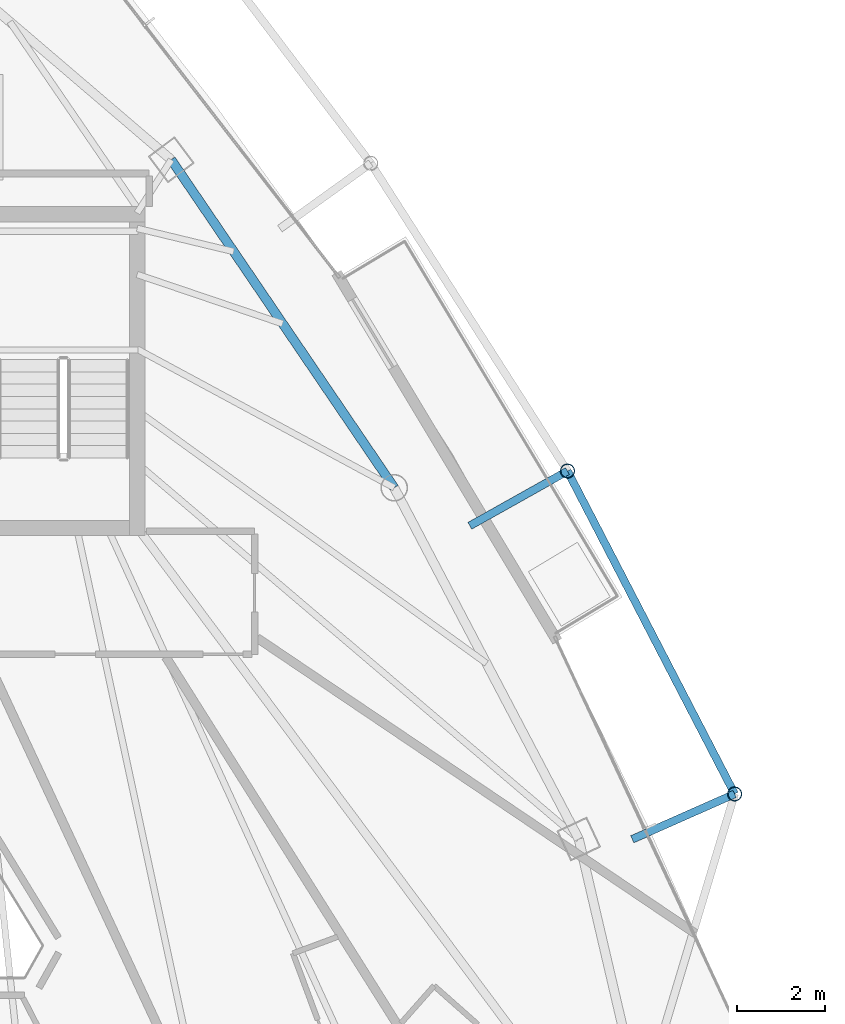
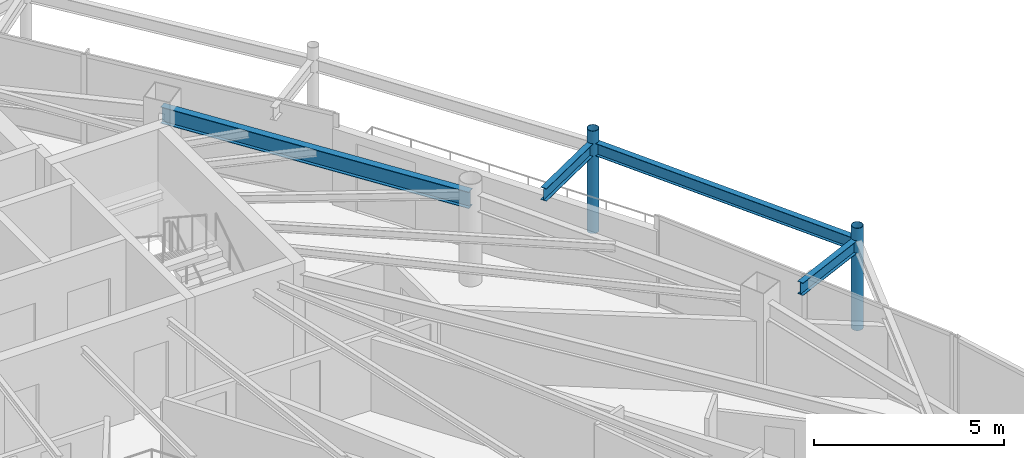
# One storey, part 18 of 29: 4 beams, 2 members.
"""IFC4 building model written with IfcOpenShell, lengths in metres."""

from ifc_helpers import new_model, si_unit, direction, frame, origin, origin_2d, place, context, subcontext, project, spatial, hollow_circle, i_section, extrude, material, material_profile, profile_set, type_object, element, save


model = new_model("IFC4")

# Units and contexts
model_context = context("Model", 3, precision=1e-05, world=origin(), true_north=direction((0.0, 1.0)))
body_context = subcontext(model_context, "Body", "Model", "MODEL_VIEW")
ifc_project = project(units=[si_unit("LENGTHUNIT", "METRE"), si_unit("AREAUNIT", "SQUARE_METRE"), si_unit("VOLUMEUNIT", "CUBIC_METRE"), si_unit("PLANEANGLEUNIT", "RADIAN"), si_unit("MASSUNIT", "GRAM", prefix="KILO")], contexts=[model_context])

# Site, building, storey
site_placement = place(None, origin())
site = spatial("IfcSite", under=ifc_project, at=site_placement, CompositionType="ELEMENT")
building_placement = place(site_placement, origin())
building = spatial("IfcBuilding", under=site, at=building_placement, Name="Orvanel Arch Residences", CompositionType="ELEMENT")
storey_placement = place(building_placement, frame((0.0, 0.0, 253.550048828125)))
storey = spatial("IfcBuildingStorey", under=building, at=storey_placement, Name="L72", CompositionType="ELEMENT", Elevation=253.550048828125)

# Beams
ifc_material_1 = material(Name="Structural steel AS/NZS 3679.1 Grade 300 (300 MPa)", Category="steel")
ifc_material_profile_1 = material_profile(ifc_material_1, i_section(OverallWidth=0.177978515625, OverallDepth=0.406005859375, WebThickness=0.0078125, FlangeThickness=0.0126953125, at=origin_2d()), Name="410UB59.7")
ifc_profile_set_1 = profile_set([ifc_material_profile_1], Name="Structural steel AS/NZS 3679.1 Grade 300 (300 MPa)")
beam_type_1 = type_object("IfcBeamType", Name="OB-410UB-EXT", PredefinedType="SPANDREL", material=ifc_profile_set_1)
beam_1_placement = place(storey_placement, frame((50.85205078125, 19.635986328125, 2.697021484375), z_axis=(0.914461766804, 0.404672308237, 0.0), x_axis=(-0.404672308237, 0.914461766804, 0.0)))
element("IfcBeam", 1, at=beam_1_placement, inside=storey, type_object=beam_type_1, Name="L72 Outer Frame Radial Tie Beam 09", PredefinedType="SPANDREL", context=body_context, shape_type="SweptSolid", body=[
    extrude(i_section(OverallWidth=0.177978515625, OverallDepth=0.406005859375, WebThickness=0.0078125, FlangeThickness=0.0126953125, at=origin_2d()), origin(), (0.0, 0.0, 1.0), 2.550048828125),
])
beam_2_placement = place(storey_placement, frame((53.18408203125, 20.66796875, 2.697021484375), z_axis=(-0.459692354951, 0.88807822786, 0.0), x_axis=(-0.88807822786, -0.459692354951, 0.0)))
element("IfcBeam", 2, at=beam_2_placement, inside=storey, type_object=beam_type_1, Name="L72 Outer Perimeter Floor Ring Beam 09", PredefinedType="SPANDREL", context=body_context, shape_type="SweptSolid", body=[
    extrude(i_section(OverallWidth=0.177978515625, OverallDepth=0.406005859375, WebThickness=0.0078125, FlangeThickness=0.0126953125, at=origin_2d()), origin(), (0.0, 0.0, 1.0), 8.281982421875),
])
beam_3_placement = place(storey_placement, frame((47.153076171875, 26.77587890625, 2.697021484375), z_axis=(0.872221755946, 0.489110630077, 0.0), x_axis=(-0.489110630077, 0.872221755946, 0.0)))
element("IfcBeam", 3, at=beam_3_placement, inside=storey, type_object=beam_type_1, Name="L72 Outer Frame Radial Tie Beam 10", PredefinedType="SPANDREL", context=body_context, shape_type="SweptSolid", body=[
    extrude(i_section(OverallWidth=0.177978515625, OverallDepth=0.406005859375, WebThickness=0.0078125, FlangeThickness=0.0126953125, at=origin_2d()), origin(), (0.0, 0.0, 1.0), 2.549560546875),
])
ifc_material_profile_2 = material_profile(ifc_material_1, i_section(OverallWidth=0.208984375, OverallDepth=0.532958984375, WebThickness=0.01025390625, FlangeThickness=0.015625, at=origin_2d()), Name="530UB92.4")
ifc_profile_set_2 = profile_set([ifc_material_profile_2], Name="Structural steel AS/NZS 3679.1 Grade 300 (300 MPa)")
beam_type_2 = type_object("IfcBeamType", Name="SP-530UB", PredefinedType="SPANDREL", material=ifc_profile_set_2)
beam_4_placement = place(storey_placement, frame((45.430908203125, 27.64111328125, 2.633056640625), z_axis=(-0.562154793153, 0.827032035978, 0.0), x_axis=(-0.827032035978, -0.562154793153, 0.0)))
element("IfcBeam", 4, at=beam_4_placement, inside=storey, type_object=beam_type_2, Name="L72 Perimeter Spandrel Beam 08", PredefinedType="SPANDREL", context=body_context, shape_type="SweptSolid", body=[
    extrude(i_section(OverallWidth=0.208984375, OverallDepth=0.532958984375, WebThickness=0.01025390625, FlangeThickness=0.015625, at=origin_2d()), origin(), (0.0, 0.0, 1.0), 9.03466796875),
])

# Members
ifc_material_2 = material(Name="Structural steel AS/NZS 1163 C350L0 (Grade 350)", Category="steel")
ifc_material_profile_3 = material_profile(ifc_material_2, hollow_circle(Radius=0.162109375, WallThickness=0.0126953125, at=origin_2d()), Name="CHS324x12.7")
ifc_profile_set_3 = profile_set([ifc_material_profile_3], Name="Structural steel AS/NZS 1163 C350L0 (Grade 350)")
member_type = type_object("IfcMemberType", Name="ST-324CHS-EXT", PredefinedType="STRUT", material=ifc_profile_set_3)
for number, where, z_axis, x_axis, name in (
    (5, (53.18408203125, 20.66796875, 0.0), (0.0, 0.0, 1.0), (1.0, 0.0, 0.0), "L72 Outer Perimeter Frame Post 09"),
    (6, (49.376953125, 28.02294921875, 0.0), (0.0, 0.0, 1.0), (1.0, 0.0, 0.0), "L72 Outer Perimeter Frame Post 10"),
):
    element("IfcMember", number, at=place(storey_placement, frame(where, z_axis=z_axis, x_axis=x_axis)), inside=storey, type_object=member_type, Name=name, PredefinedType="STRUT", context=body_context, shape_type="SweptSolid", body=[
        extrude(hollow_circle(Radius=0.162109375, WallThickness=0.0126953125, at=origin_2d()), origin(), (0.0, 0.0, 1.0), 3.300048828125),
    ])

save(model, "model.ifc")
